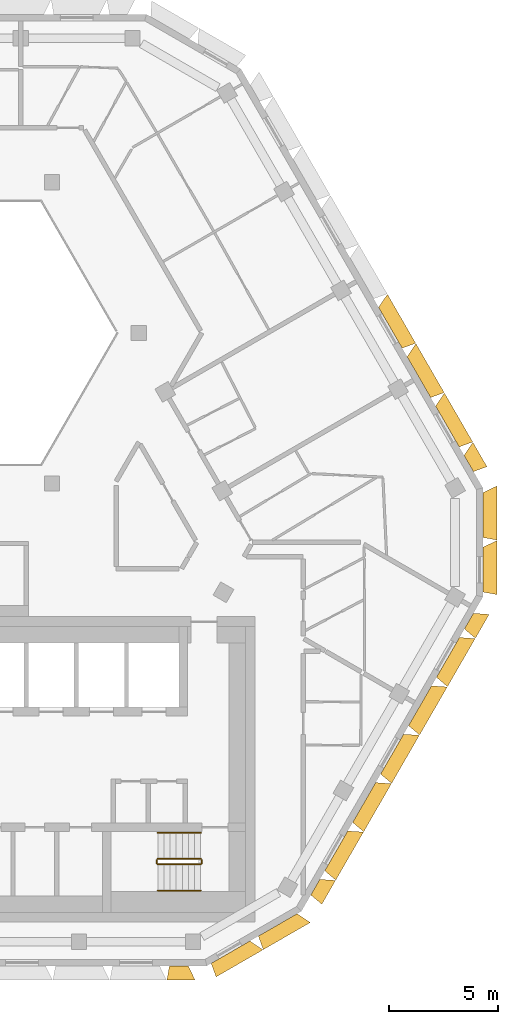
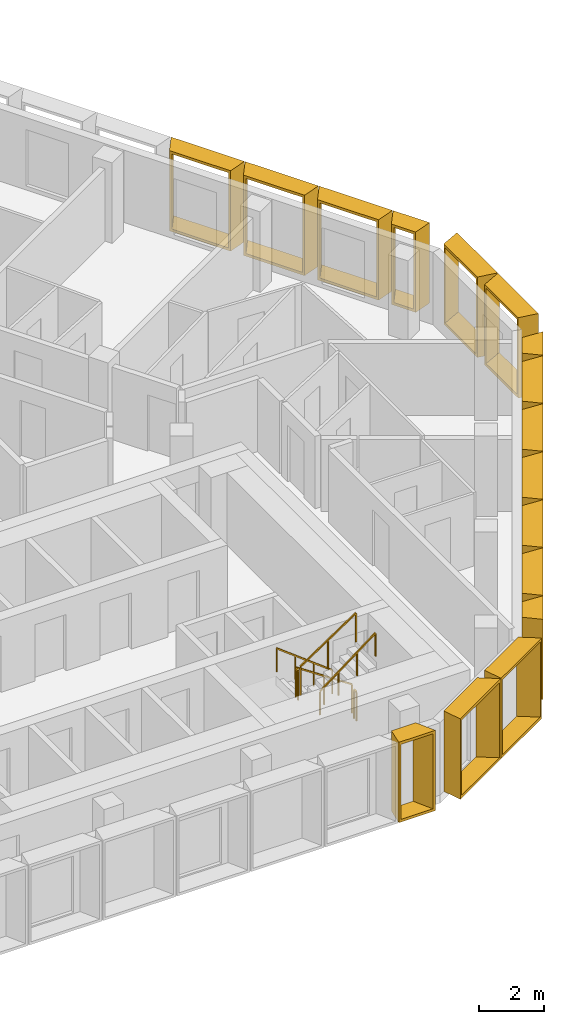
# One storey, part 14 of 15: 16 shading devices, 6 railings.
"""IFC4 building model written with IfcOpenShell, lengths in metres."""

import ifcopenshell
import ifcopenshell.guid

model = None  # the IFC model being written
_history = None  # IfcOwnerHistory: only IFC2X3 demands one
_inside = {}  # id of a spatial element -> (the spatial element, [elements in it])
_under = {}  # id of a project, library or spatial element -> (it, [spatial elements below it])
_declared = {}  # id of a project -> (the project, [libraries it declares])
_typed = {}  # id of a type object -> (the type object, [elements of that type])
_made_of = {}  # id of a material, layer set ... -> (it, [elements and type objects made of it])


def new_model(schema):
    """Start an empty IFC model of exactly this schema.

    Asked for "IFC4X3", IfcOpenShell would pick the latest addendum, in which some entities
    have other attributes; the version numbers below select the first issue.
    IFC2X3 requires an IfcOwnerHistory on every rooted entity: one is made here for all.
    """
    global model, _history
    if schema == "IFC4X3":
        model = ifcopenshell.file(schema_version=(4, 3, 0, 0))
    else:
        model = ifcopenshell.file(schema=schema)
    _inside.clear()
    _under.clear()
    _declared.clear()
    _typed.clear()
    _made_of.clear()
    _history = None
    if model.schema == "IFC2X3":
        org = make("IfcOrganization", Name="unknown")
        user = make(
            "IfcPersonAndOrganization",
            ThePerson=make("IfcPerson", FamilyName="unknown"),
            TheOrganization=org,
        )
        app = make(
            "IfcApplication",
            ApplicationDeveloper=org,
            Version="unknown",
            ApplicationFullName="unknown",
            ApplicationIdentifier="unknown",
        )
        _history = make(
            "IfcOwnerHistory",
            OwningUser=user,
            OwningApplication=app,
            ChangeAction="ADDED",
            CreationDate=0,
        )
    return model


def make(cls, **values):
    """One entity of the class cls with the attributes given. An attribute that is None is left unset."""
    return model.create_entity(
        cls, **{name: value for name, value in values.items() if value is not None}
    )


def entity(cls, *values):
    """Any entity or typed value of the class cls, its attributes in the order of the schema. None: left unset."""
    e = model.create_entity(cls)
    for i, value in enumerate(values):
        if value is not None:
            e[i] = value
    return e


def rooted(cls, **values):
    """An entity with a GlobalId (a new one), such as an element, a storey or a relation."""
    return make(cls, GlobalId=ifcopenshell.guid.new(), OwnerHistory=_history, **values)


def si_unit(unit_type, name, prefix=None):
    """IfcSIUnit, for example si_unit("LENGTHUNIT", "METRE", prefix="MILLI")."""
    return make("IfcSIUnit", UnitType=unit_type, Prefix=prefix, Name=name)


def assignment(units):
    """IfcUnitAssignment: the units of a project."""
    return None if units is None else make("IfcUnitAssignment", Units=units)


def point(xyz):
    """IfcCartesianPoint."""
    return None if xyz is None else make("IfcCartesianPoint", Coordinates=xyz)


def direction(xyz):
    """IfcDirection."""
    return None if xyz is None else make("IfcDirection", DirectionRatios=xyz)


def frame(location, z_axis=None, x_axis=None):
    """IfcAxis2Placement3D, a coordinate frame: its origin and axes. An axis left out is left unset."""
    return make(
        "IfcAxis2Placement3D",
        Location=point(location),
        Axis=direction(z_axis),
        RefDirection=direction(x_axis),
    )


def frame_2d(location, x_axis=None):
    """IfcAxis2Placement2D, a coordinate frame in the plane: its origin and x axis."""
    return make(
        "IfcAxis2Placement2D", Location=point(location), RefDirection=direction(x_axis)
    )


def origin():
    """The frame at (0, 0, 0) with its axes left unset."""
    return frame((0.0, 0.0, 0.0))


def origin_2d():
    """The frame at (0, 0) in the plane with its x axis left unset."""
    return frame_2d((0.0, 0.0))


def place(relative_to, where):
    """IfcLocalPlacement: puts the frame where relative to a parent placement (None: the world)."""
    return make(
        "IfcLocalPlacement", PlacementRelTo=relative_to, RelativePlacement=where
    )


def context(
    kind, dimensions, precision=None, world=None, true_north=None, identifier=None
):
    """IfcGeometricRepresentationContext, for example the 3D "Model" context."""
    return make(
        "IfcGeometricRepresentationContext",
        ContextIdentifier=identifier,
        ContextType=kind,
        CoordinateSpaceDimension=dimensions,
        Precision=precision,
        WorldCoordinateSystem=world,
        TrueNorth=true_north,
    )


def subcontext(parent, identifier, kind, view, scale=None):
    """IfcGeometricRepresentationSubContext, for example "Body" below "Model"."""
    return make(
        "IfcGeometricRepresentationSubContext",
        ContextIdentifier=identifier,
        ContextType=kind,
        ParentContext=parent,
        TargetScale=scale,
        TargetView=view,
    )


def project(units=None, contexts=None):
    """IfcProject with its units and contexts."""
    return rooted(
        "IfcProject",
        Name="project",
        RepresentationContexts=contexts,
        UnitsInContext=assignment(units),
    )


def spatial(cls, under=None, at=None, **own):
    """A site, building, storey or space (cls), placed at a placement, below another one or the project."""
    s = rooted(cls, ObjectPlacement=at, **own)
    if under is not None:
        _under.setdefault(under.id(), (under, []))[1].append(s)
    return s


def profile(cls, at=None, kind="AREA", **sizes):
    """A parametric profile (cls). Its sizes go by their IFC names, for example OverallWidth=200.0."""
    return make(cls, ProfileType=kind, Position=at, **sizes)


def rectangle(**sizes):
    """IfcRectangleProfileDef."""
    return profile("IfcRectangleProfileDef", **sizes)


def extrude(swept, where, along, depth):
    """IfcExtrudedAreaSolid: the profile swept, set in the frame where, extruded along a direction by depth."""
    return make(
        "IfcExtrudedAreaSolid",
        SweptArea=swept,
        Position=where,
        ExtrudedDirection=direction(along),
        Depth=depth,
    )


def shape(context_of_items, identifier, shape_type, items):
    """IfcShapeRepresentation: the items that make up one representation, for example the "Body"."""
    return make(
        "IfcShapeRepresentation",
        ContextOfItems=context_of_items,
        RepresentationIdentifier=identifier,
        RepresentationType=shape_type,
        Items=items,
    )


def source(mapping_origin, context_of_items, identifier, shape_type, items):
    """IfcRepresentationMap: a shape defined once, which mapped items show again and again."""
    return make(
        "IfcRepresentationMap",
        MappingOrigin=mapping_origin,
        MappedRepresentation=shape(context_of_items, identifier, shape_type, items),
    )


def transform(
    local_origin,
    x_axis=None,
    y_axis=None,
    z_axis=None,
    scale=None,
    scale2=None,
    scale3=None,
    uniform=True,
):
    """IfcCartesianTransformationOperator3D, or its non-uniform kind. x_axis, y_axis, z_axis: its Axis1, 2, 3."""
    if uniform:
        return make(
            "IfcCartesianTransformationOperator3D",
            Axis1=direction(x_axis),
            Axis2=direction(y_axis),
            LocalOrigin=point(local_origin),
            Scale=scale,
            Axis3=direction(z_axis),
        )
    return make(
        "IfcCartesianTransformationOperator3DnonUniform",
        Axis1=direction(x_axis),
        Axis2=direction(y_axis),
        LocalOrigin=point(local_origin),
        Scale=scale,
        Axis3=direction(z_axis),
        Scale2=scale2,
        Scale3=scale3,
    )


def mapped(mapping_source, mapping_target):
    """IfcMappedItem: shows the shape of a source again, moved by a transform."""
    return make(
        "IfcMappedItem", MappingSource=mapping_source, MappingTarget=mapping_target
    )


def material(Name=None, Category=None):
    """IfcMaterial."""
    return make("IfcMaterial", Name=Name, Category=Category)


def made_of(thing, what):
    """Note that an element or type object is made of a material, layer set ...; save() writes the relation."""
    if what is not None:
        _made_of.setdefault(what.id(), (what, []))[1].append(thing)
    return thing


def type_object(cls, material=None, **own):
    """A type object (cls), such as IfcWallType, which elements share."""
    return made_of(rooted(cls, **own), material)


def type_shapes(of_type, sources):
    """Give a type object the sources (RepresentationMaps) that its elements show as mapped items."""
    of_type.RepresentationMaps = sources


def element(
    cls,
    number,
    at=None,
    inside=None,
    cuts=None,
    type_object=None,
    material=None,
    context=None,
    identifier="Body",
    shape_type=None,
    held_by="IfcProductDefinitionShape",
    body=None,
    shapes=None,
    **own,
):
    """One element of the class cls, such as IfcWall. Its Tag is "e" and its number.

    at: its placement. inside: the storey or other place that contains it. cuts: it is an
    opening in that element (IfcRelVoidsElement). A single representation is given by context,
    identifier, shape_type and body (its items); several are given by shapes. held_by: the class
    of the entity that holds the representations. save() writes the other relations.
    """
    e = rooted(cls, Tag="e%d" % number, ObjectPlacement=at, **own)
    if body is not None:
        shapes = [shape(context, identifier, shape_type, body)]
    if shapes is not None:
        e.Representation = make(held_by, Representations=shapes)
    if inside is not None:
        _inside.setdefault(inside.id(), (inside, []))[1].append(e)
    if cuts is not None:
        rooted(
            "IfcRelVoidsElement", RelatingBuildingElement=cuts, RelatedOpeningElement=e
        )
    if type_object is not None:
        _typed.setdefault(type_object.id(), (type_object, []))[1].append(e)
    return made_of(e, material)


def aggregate(whole, parts):
    """IfcRelAggregates: a whole, such as a stair, and the parts it consists of."""
    return rooted("IfcRelAggregates", RelatingObject=whole, RelatedObjects=parts)


def save(model, path):
    """Write the relations noted so far, then the file.

    IfcRelAggregates (storeys below a building ...), IfcRelContainedInSpatialStructure (elements
    in a storey), IfcRelDefinesByType, IfcRelAssociatesMaterial and IfcRelDeclares: one each for
    every whole, place, type object, material and project.
    """
    for whole, parts in _under.values():
        aggregate(whole, parts)
    for where, things in _inside.values():
        rooted(
            "IfcRelContainedInSpatialStructure",
            RelatedElements=things,
            RelatingStructure=where,
        )
    for kind, things in _typed.values():
        rooted("IfcRelDefinesByType", RelatedObjects=things, RelatingType=kind)
    for what, things in _made_of.values():
        rooted("IfcRelAssociatesMaterial", RelatedObjects=things, RelatingMaterial=what)
    for by, libraries in _declared.values():
        rooted("IfcRelDeclares", RelatingContext=by, RelatedDefinitions=libraries)
    model.write(path)


model = new_model("IFC4")

# Units and contexts
model_context = context("Model", 3, precision=1e-05, world=origin(), true_north=direction((0.0, 1.0)))
body_context = subcontext(model_context, "Body", "Model", "MODEL_VIEW")
ifc_project = project(units=[si_unit("LENGTHUNIT", "METRE"), si_unit("AREAUNIT", "SQUARE_METRE"), si_unit("VOLUMEUNIT", "CUBIC_METRE"), si_unit("PLANEANGLEUNIT", "RADIAN"), si_unit("MASSUNIT", "GRAM", prefix="KILO")], contexts=[model_context])

# Site, building, storey
site_placement = place(None, origin())
site = spatial("IfcSite", under=ifc_project, at=site_placement, CompositionType="ELEMENT")
building_placement = place(site_placement, origin())
building = spatial("IfcBuilding", under=site, at=building_placement, Name="Beryl Residences", CompositionType="ELEMENT")
storey_placement = place(building_placement, frame((0.0, 0.0, 205.800048828125)))
storey = spatial("IfcBuildingStorey", under=building, at=storey_placement, Name="L63", CompositionType="ELEMENT", Elevation=205.800048828125)

# Shading devices
ifc_material_1 = material(Name="Aluminium pale anodised", Category="aluminium")
shading_device_type_1 = type_object("IfcShadingDeviceType", Name="FR128-65C OUTER SKIN frame 650 mm deep, splay 10/26 deg, 1280 x 3000 mm cell", PredefinedType="USERDEFINED", material=ifc_material_1)
cartesian_point_1 = entity("IfcCartesianPoint", [-0.4140625, 0.0])
cartesian_point_2 = entity("IfcCartesianPoint", [-0.332763671875, 0.10009765625])
cartesian_point_3 = entity("IfcCartesianPoint", [-0.528564453125, 0.0])
cartesian_point_4 = entity("IfcCartesianPoint", [-0.447265625, 0.10009765625])
shared_shape_1 = source(origin(), body_context, "Body", "SweptSolid", [
    entity("IfcExtrudedAreaSolidTapered", entity("IfcArbitraryProfileDefWithVoids", "AREA", None, entity("IfcPolyline", [cartesian_point_1, entity("IfcCartesianPoint", [0.4140625, 0.0]), entity("IfcCartesianPoint", [0.4140625, 3.0]), entity("IfcCartesianPoint", [-0.4140625, 3.0]), cartesian_point_1]), [entity("IfcPolyline", [cartesian_point_2, entity("IfcCartesianPoint", [0.324951171875, 0.10009765625]), entity("IfcCartesianPoint", [0.324951171875, 2.89990234375]), entity("IfcCartesianPoint", [-0.332763671875, 2.89990234375]), cartesian_point_2])]), entity("IfcAxis2Placement3D", entity("IfcCartesianPoint", [0.0, 0.0, 0.0]), entity("IfcDirection", [0.0, 1.0, 0.0]), entity("IfcDirection", [-1.0, 0.0, 0.0])), entity("IfcDirection", [0.0, 0.0, 1.0]), 0.64990234375, entity("IfcArbitraryProfileDefWithVoids", "AREA", None, entity("IfcPolyline", [cartesian_point_3, entity("IfcCartesianPoint", [0.73095703125, 0.0]), entity("IfcCartesianPoint", [0.73095703125, 3.0]), entity("IfcCartesianPoint", [-0.528564453125, 3.0]), cartesian_point_3]), [entity("IfcPolyline", [cartesian_point_4, entity("IfcCartesianPoint", [0.64208984375, 0.10009765625]), entity("IfcCartesianPoint", [0.64208984375, 2.89990234375]), entity("IfcCartesianPoint", [-0.447265625, 2.89990234375]), cartesian_point_4])])),
])
type_shapes(shading_device_type_1, [shared_shape_1])
for number, where, z_axis, x_axis, name in (
    (1, (16.052978515625, -17.39599609375, 0.0), (0.0, 0.0, 1.0), (-0.5, -0.866025403784, 0.0), "FR128-65C frame L63 SE 1"),
    (2, (23.091064453125, -5.205078125, 0.0), (0.0, 0.0, 1.0), (-0.5, -0.866025403784, 0.0), "FR128-65C frame L63 SE 7"),
):
    element("IfcShadingDevice", number, at=place(storey_placement, frame(where, z_axis=z_axis, x_axis=x_axis)), inside=storey, type_object=shading_device_type_1, Name=name, ObjectType="OUTER SKIN", PredefinedType="USERDEFINED", context=body_context, shape_type="MappedRepresentation", body=[
        mapped(shared_shape_1, transform((0.0, 0.0, 0.0))),
    ])
ifc_material_2 = material(Name="Aluminium pale anodised", Category="aluminium")
shading_device_type_2 = type_object("IfcShadingDeviceType", Name="FR131-65C OUTER SKIN frame 650 mm deep, splay 10/26 deg, 1310 x 3000 mm cell", PredefinedType="USERDEFINED", material=ifc_material_2)
cartesian_point_5 = entity("IfcCartesianPoint", [-0.428955078125, 0.0])
cartesian_point_6 = entity("IfcCartesianPoint", [-0.34765625, 0.10009765625])
cartesian_point_7 = entity("IfcCartesianPoint", [-0.543701171875, 0.0])
cartesian_point_8 = entity("IfcCartesianPoint", [-0.46240234375, 0.10009765625])
shared_shape_2 = source(origin(), body_context, "Body", "SweptSolid", [
    entity("IfcExtrudedAreaSolidTapered", entity("IfcArbitraryProfileDefWithVoids", "AREA", None, entity("IfcPolyline", [cartesian_point_5, entity("IfcCartesianPoint", [0.428955078125, 0.0]), entity("IfcCartesianPoint", [0.428955078125, 3.0]), entity("IfcCartesianPoint", [-0.428955078125, 3.0]), cartesian_point_5]), [entity("IfcPolyline", [cartesian_point_6, entity("IfcCartesianPoint", [0.340087890625, 0.10009765625]), entity("IfcCartesianPoint", [0.340087890625, 2.89990234375]), entity("IfcCartesianPoint", [-0.34765625, 2.89990234375]), cartesian_point_6])]), entity("IfcAxis2Placement3D", entity("IfcCartesianPoint", [0.0, 0.0, 0.0]), entity("IfcDirection", [0.0, 1.0, 0.0]), entity("IfcDirection", [-1.0, 0.0, 0.0])), entity("IfcDirection", [0.0, 0.0, 1.0]), 0.64990234375, entity("IfcArbitraryProfileDefWithVoids", "AREA", None, entity("IfcPolyline", [cartesian_point_7, entity("IfcCartesianPoint", [0.74609375, 0.0]), entity("IfcCartesianPoint", [0.74609375, 3.0]), entity("IfcCartesianPoint", [-0.543701171875, 3.0]), cartesian_point_7]), [entity("IfcPolyline", [cartesian_point_8, entity("IfcCartesianPoint", [0.656982421875, 0.10009765625]), entity("IfcCartesianPoint", [0.656982421875, 2.89990234375]), entity("IfcCartesianPoint", [-0.46240234375, 2.89990234375]), cartesian_point_8])])),
])
type_shapes(shading_device_type_2, [shared_shape_2])
for number, where, z_axis, x_axis, name in (
    (3, (9.797119140625, -21.0, 0.0), (0.0, 0.0, 1.0), (-1.0, 0.0, 0.0), "FR131-65C frame L63 S 9"),
    (4, (23.083984375, 2.01611328125, 0.0), (0.0, 0.0, 1.0), (0.5, -0.866025403784, 0.0), "FR131-65C frame L63 NE 1"),
):
    element("IfcShadingDevice", number, at=place(storey_placement, frame(where, z_axis=z_axis, x_axis=x_axis)), inside=storey, type_object=shading_device_type_2, Name=name, ObjectType="OUTER SKIN", PredefinedType="USERDEFINED", context=body_context, shape_type="MappedRepresentation", body=[
        mapped(shared_shape_2, transform((0.0, 0.0, 0.0))),
    ])
ifc_material_3 = material(Name="Aluminium pale anodised", Category="aluminium")
shading_device_type_3 = type_object("IfcShadingDeviceType", Name="FR250-65C OUTER SKIN frame 650 mm deep, splay 10/26 deg, 2500 x 3000 mm cell", PredefinedType="USERDEFINED", material=ifc_material_3)
cartesian_point_9 = entity("IfcCartesianPoint", [-1.02392578125, 0.0])
cartesian_point_10 = entity("IfcCartesianPoint", [-0.94287109375, 0.10009765625])
cartesian_point_11 = entity("IfcCartesianPoint", [-1.138671875, 0.0])
cartesian_point_12 = entity("IfcCartesianPoint", [-1.057373046875, 0.10009765625])
shared_shape_3 = source(origin(), body_context, "Body", "SweptSolid", [
    entity("IfcExtrudedAreaSolidTapered", entity("IfcArbitraryProfileDefWithVoids", "AREA", None, entity("IfcPolyline", [cartesian_point_9, entity("IfcCartesianPoint", [1.02392578125, 0.0]), entity("IfcCartesianPoint", [1.02392578125, 3.0]), entity("IfcCartesianPoint", [-1.02392578125, 3.0]), cartesian_point_9]), [entity("IfcPolyline", [cartesian_point_10, entity("IfcCartesianPoint", [0.93505859375, 0.10009765625]), entity("IfcCartesianPoint", [0.93505859375, 2.89990234375]), entity("IfcCartesianPoint", [-0.94287109375, 2.89990234375]), cartesian_point_10])]), entity("IfcAxis2Placement3D", entity("IfcCartesianPoint", [0.0, 0.0, 0.0]), entity("IfcDirection", [0.0, 1.0, 0.0]), entity("IfcDirection", [-1.0, 0.0, 0.0])), entity("IfcDirection", [0.0, 0.0, 1.0]), 0.64990234375, entity("IfcArbitraryProfileDefWithVoids", "AREA", None, entity("IfcPolyline", [cartesian_point_11, entity("IfcCartesianPoint", [1.341064453125, 0.0]), entity("IfcCartesianPoint", [1.341064453125, 3.0]), entity("IfcCartesianPoint", [-1.138671875, 3.0]), cartesian_point_11]), [entity("IfcPolyline", [cartesian_point_12, entity("IfcCartesianPoint", [1.251953125, 0.10009765625]), entity("IfcCartesianPoint", [1.251953125, 2.89990234375]), entity("IfcCartesianPoint", [-1.057373046875, 2.89990234375]), cartesian_point_12])])),
])
type_shapes(shading_device_type_3, [shared_shape_3])
for number, where, z_axis, x_axis, name in (
    (5, (12.16796875, -20.375, 0.0), (0.0, 0.0, 1.0), (-0.866025403784, -0.5, 0.0), "FR250-65C frame L63 S-SE 1"),
    (6, (14.33203125, -19.125, 0.0), (0.0, 0.0, 1.0), (-0.866025403784, -0.5, 0.0), "FR250-65C frame L63 S-SE 2"),
    (7, (23.72900390625, -2.85009765625, 0.0), (0.0, 0.0, 1.0), (0.0, -1.0, 0.0), "FR250-65C frame L63 SE-NE 1"),
    (8, (23.72900390625, -0.35009765625, 0.0), (0.0, 0.0, 1.0), (0.0, -1.0, 0.0), "FR250-65C frame L63 SE-NE 2"),
):
    element("IfcShadingDevice", number, at=place(storey_placement, frame(where, z_axis=z_axis, x_axis=x_axis)), inside=storey, type_object=shading_device_type_3, Name=name, ObjectType="OUTER SKIN", PredefinedType="USERDEFINED", context=body_context, shape_type="MappedRepresentation", body=[
        mapped(shared_shape_3, transform((0.0, 0.0, 0.0))),
    ])
ifc_material_4 = material(Name="Aluminium pale anodised", Category="aluminium")
shading_device_type_4 = type_object("IfcShadingDeviceType", Name="FR256-65C OUTER SKIN frame 650 mm deep, splay 10/26 deg, 2560 x 3000 mm cell", PredefinedType="USERDEFINED", material=ifc_material_4)
cartesian_point_13 = entity("IfcCartesianPoint", [-1.053955078125, 0.0])
cartesian_point_14 = entity("IfcCartesianPoint", [-0.97265625, 0.10009765625])
cartesian_point_15 = entity("IfcCartesianPoint", [-1.168701171875, 0.0])
cartesian_point_16 = entity("IfcCartesianPoint", [-1.08740234375, 0.10009765625])
shared_shape_4 = source(origin(), body_context, "Body", "SweptSolid", [
    entity("IfcExtrudedAreaSolidTapered", entity("IfcArbitraryProfileDefWithVoids", "AREA", None, entity("IfcPolyline", [cartesian_point_13, entity("IfcCartesianPoint", [1.053955078125, 0.0]), entity("IfcCartesianPoint", [1.053955078125, 3.0]), entity("IfcCartesianPoint", [-1.053955078125, 3.0]), cartesian_point_13]), [entity("IfcPolyline", [cartesian_point_14, entity("IfcCartesianPoint", [0.965087890625, 0.10009765625]), entity("IfcCartesianPoint", [0.965087890625, 2.89990234375]), entity("IfcCartesianPoint", [-0.97265625, 2.89990234375]), cartesian_point_14])]), entity("IfcAxis2Placement3D", entity("IfcCartesianPoint", [0.0, 0.0, 0.0]), entity("IfcDirection", [0.0, 1.0, 0.0]), entity("IfcDirection", [-1.0, 0.0, 0.0])), entity("IfcDirection", [0.0, 0.0, 1.0]), 0.64990234375, entity("IfcArbitraryProfileDefWithVoids", "AREA", None, entity("IfcPolyline", [cartesian_point_15, entity("IfcCartesianPoint", [1.37109375, 0.0]), entity("IfcCartesianPoint", [1.37109375, 3.0]), entity("IfcCartesianPoint", [-1.168701171875, 3.0]), cartesian_point_15]), [entity("IfcPolyline", [cartesian_point_16, entity("IfcCartesianPoint", [1.281982421875, 0.10009765625]), entity("IfcCartesianPoint", [1.281982421875, 2.89990234375]), entity("IfcCartesianPoint", [-1.08740234375, 2.89990234375]), cartesian_point_16])])),
])
type_shapes(shading_device_type_4, [shared_shape_4])
for number, where, z_axis, x_axis, name in (
    (9, (17.011962890625, -15.73388671875, 0.0), (0.0, 0.0, 1.0), (-0.5, -0.866025403784, 0.0), "FR256-65C frame L63 SE 2"),
    (10, (18.2919921875, -13.51708984375, 0.0), (0.0, 0.0, 1.0), (-0.5, -0.866025403784, 0.0), "FR256-65C frame L63 SE 3"),
    (11, (19.572021484375, -11.300048828125, 0.0), (0.0, 0.0, 1.0), (-0.5, -0.866025403784, 0.0), "FR256-65C frame L63 SE 4"),
    (12, (20.85107421875, -9.083984375, 0.0), (0.0, 0.0, 1.0), (-0.5, -0.866025403784, 0.0), "FR256-65C frame L63 SE 5"),
    (13, (22.131103515625, -6.866943359375, 0.0), (0.0, 0.0, 1.0), (-0.5, -0.866025403784, 0.0), "FR256-65C frame L63 SE 6"),
):
    element("IfcShadingDevice", number, at=place(storey_placement, frame(where, z_axis=z_axis, x_axis=x_axis)), inside=storey, type_object=shading_device_type_4, Name=name, ObjectType="OUTER SKIN", PredefinedType="USERDEFINED", context=body_context, shape_type="MappedRepresentation", body=[
        mapped(shared_shape_4, transform((0.0, 0.0, 0.0))),
    ])
ifc_material_5 = material(Name="Aluminium pale anodised", Category="aluminium")
shading_device_type_5 = type_object("IfcShadingDeviceType", Name="FR261-65C OUTER SKIN frame 650 mm deep, splay 10/26 deg, 2610 x 3000 mm cell", PredefinedType="USERDEFINED", material=ifc_material_5)
cartesian_point_17 = entity("IfcCartesianPoint", [-1.0791015625, 0.0])
cartesian_point_18 = entity("IfcCartesianPoint", [-0.997802734375, 0.10009765625])
cartesian_point_19 = entity("IfcCartesianPoint", [-1.193603515625, 0.0])
cartesian_point_20 = entity("IfcCartesianPoint", [-1.1123046875, 0.10009765625])
shared_shape_5 = source(origin(), body_context, "Body", "SweptSolid", [
    entity("IfcExtrudedAreaSolidTapered", entity("IfcArbitraryProfileDefWithVoids", "AREA", None, entity("IfcPolyline", [cartesian_point_17, entity("IfcCartesianPoint", [1.0791015625, 0.0]), entity("IfcCartesianPoint", [1.0791015625, 3.0]), entity("IfcCartesianPoint", [-1.0791015625, 3.0]), cartesian_point_17]), [entity("IfcPolyline", [cartesian_point_18, entity("IfcCartesianPoint", [0.989990234375, 0.10009765625]), entity("IfcCartesianPoint", [0.989990234375, 2.89990234375]), entity("IfcCartesianPoint", [-0.997802734375, 2.89990234375]), cartesian_point_18])]), entity("IfcAxis2Placement3D", entity("IfcCartesianPoint", [0.0, 0.0, 0.0]), entity("IfcDirection", [0.0, 1.0, 0.0]), entity("IfcDirection", [-1.0, 0.0, 0.0])), entity("IfcDirection", [0.0, 0.0, 1.0]), 0.64990234375, entity("IfcArbitraryProfileDefWithVoids", "AREA", None, entity("IfcPolyline", [cartesian_point_19, entity("IfcCartesianPoint", [1.39599609375, 0.0]), entity("IfcCartesianPoint", [1.39599609375, 3.0]), entity("IfcCartesianPoint", [-1.193603515625, 3.0]), cartesian_point_19]), [entity("IfcPolyline", [cartesian_point_20, entity("IfcCartesianPoint", [1.30712890625, 0.10009765625]), entity("IfcCartesianPoint", [1.30712890625, 2.89990234375]), entity("IfcCartesianPoint", [-1.1123046875, 2.89990234375]), cartesian_point_20])])),
])
type_shapes(shading_device_type_5, [shared_shape_5])
for number, where, z_axis, x_axis, name in (
    (14, (22.10498046875, 3.7119140625, 0.0), (0.0, 0.0, 1.0), (0.5, -0.866025403784, 0.0), "FR261-65C frame L63 NE 2"),
    (15, (20.798095703125, 5.97509765625, 0.0), (0.0, 0.0, 1.0), (0.5, -0.866025403784, 0.0), "FR261-65C frame L63 NE 3"),
    (16, (19.491943359375, 8.237060546875, 0.0), (0.0, 0.0, 1.0), (0.5, -0.866025403784, 0.0), "FR261-65C frame L63 NE 4"),
):
    element("IfcShadingDevice", number, at=place(storey_placement, frame(where, z_axis=z_axis, x_axis=x_axis)), inside=storey, type_object=shading_device_type_5, Name=name, ObjectType="OUTER SKIN", PredefinedType="USERDEFINED", context=body_context, shape_type="MappedRepresentation", body=[
        mapped(shared_shape_5, transform((0.0, 0.0, 0.0))),
    ])

# Railings
ifc_material_6 = material(Name="Stainless steel balustrade with glass infill", Category="steel")
railing_type_1 = type_object("IfcRailingType", Name="SG1 stair guard 1100 mm", PredefinedType="GUARDRAIL", material=ifc_material_6)
railing_1_placement = place(storey_placement, frame((10.800048828125, -16.10009765625, 0.1875)))
element("IfcRailing", 17, at=railing_1_placement, inside=storey, type_object=railing_type_1, Name="L63 ST-3 stair guard 1", PredefinedType="GUARDRAIL", context=body_context, shape_type="SweptSolid", body=[
    extrude(rectangle(XDim=0.048095703125, YDim=0.048095703125, at=origin_2d()), frame((0.0, 0.0, 1.076171875), z_axis=(-0.830902050051, 0.0, 0.556418712142), x_axis=(0.0, -1.0, 0.0)), (0.0, 0.0, 1.0), 2.35888671875),
    extrude(rectangle(XDim=0.0419921875, YDim=0.0419921875, at=origin_2d()), origin(), (0.0, 0.0, 1.0), 1.052001953125),
    extrude(rectangle(XDim=0.0419921875, YDim=0.0419921875, at=origin_2d()), frame((-0.97998046875, 0.0, 0.65625)), (0.0, 0.0, 1.0), 1.052001953125),
    extrude(rectangle(XDim=0.0419921875, YDim=0.0419921875, at=origin_2d()), frame((-1.9599609375, 0.0, 1.3125)), (0.0, 0.0, 1.0), 1.052001953125),
])
railing_2_placement = place(storey_placement, frame((8.7900390625, -16.14990234375, 1.5)))
element("IfcRailing", 18, at=railing_2_placement, inside=storey, type_object=railing_type_1, Name="L63 ST-3 stair guard 2", PredefinedType="GUARDRAIL", context=body_context, shape_type="SweptSolid", body=[
    extrude(rectangle(XDim=0.048095703125, YDim=0.048095703125, at=origin_2d()), frame((0.0, 0.0, 1.076171875), z_axis=(0.0, -1.0, 0.0), x_axis=(1.0, 0.0, 0.0)), (0.0, 0.0, 1.0), 0.150146484375),
    extrude(rectangle(XDim=0.0419921875, YDim=0.0419921875, at=origin_2d()), origin(), (0.0, 0.0, 1.0), 1.052001953125),
    extrude(rectangle(XDim=0.0419921875, YDim=0.0419921875, at=origin_2d()), frame((0.0, -0.150146484375, 0.0)), (0.0, 0.0, 1.0), 1.052001953125),
])
railing_3_placement = place(storey_placement, frame((8.840087890625, -16.35009765625, 1.6875)))
element("IfcRailing", 19, at=railing_3_placement, inside=storey, type_object=railing_type_1, Name="L63 ST-3 stair guard 3", PredefinedType="GUARDRAIL", context=body_context, shape_type="SweptSolid", body=[
    extrude(rectangle(XDim=0.048095703125, YDim=0.048095703125, at=origin_2d()), frame((0.0, 0.0, 1.076171875), z_axis=(0.830902050051, 0.0, 0.556418712142), x_axis=(0.0, 1.0, 0.0)), (0.0, 0.0, 1.0), 2.35888671875),
    extrude(rectangle(XDim=0.0419921875, YDim=0.0419921875, at=origin_2d()), origin(), (0.0, 0.0, 1.0), 1.052001953125),
    extrude(rectangle(XDim=0.0419921875, YDim=0.0419921875, at=origin_2d()), frame((0.97998046875, 0.0, 0.65625)), (0.0, 0.0, 1.0), 1.052001953125),
    extrude(rectangle(XDim=0.0419921875, YDim=0.0419921875, at=origin_2d()), frame((1.9599609375, 0.0, 1.3125)), (0.0, 0.0, 1.0), 1.052001953125),
])
railing_4_placement = place(storey_placement, frame((10.85009765625, -16.14990234375, 0.0)))
element("IfcRailing", 20, at=railing_4_placement, inside=storey, type_object=railing_type_1, Name="L63 ST-3 stair guard 4", PredefinedType="GUARDRAIL", context=body_context, shape_type="SweptSolid", body=[
    extrude(rectangle(XDim=0.048095703125, YDim=0.048095703125, at=origin_2d()), frame((0.0, 0.0, 1.076171875), z_axis=(0.0, -1.0, 0.0), x_axis=(1.0, 0.0, 0.0)), (0.0, 0.0, 1.0), 0.150146484375),
    extrude(rectangle(XDim=0.0419921875, YDim=0.0419921875, at=origin_2d()), origin(), (0.0, 0.0, 1.0), 1.052001953125),
    extrude(rectangle(XDim=0.0419921875, YDim=0.0419921875, at=origin_2d()), frame((0.0, -0.150146484375, 0.0)), (0.0, 0.0, 1.0), 1.052001953125),
])
ifc_material_7 = material(Name="Stainless steel handrail", Category="steel")
railing_type_2 = type_object("IfcRailingType", Name="SRL1 stair handrail 900 mm", PredefinedType="HANDRAIL", material=ifc_material_7)
railing_5_placement = place(storey_placement, frame((10.800048828125, -14.89990234375, 0.1875)))
element("IfcRailing", 21, at=railing_5_placement, inside=storey, type_object=railing_type_2, Name="L63 ST-3 stair handrail 1", PredefinedType="HANDRAIL", context=body_context, shape_type="SweptSolid", body=[
    extrude(rectangle(XDim=0.048095703125, YDim=0.048095703125, at=origin_2d()), frame((0.0, 0.0, 0.8759765625), z_axis=(-0.794121922505, 0.0, 0.607758481798), x_axis=(0.0, -1.0, 0.0)), (0.0, 0.0, 1.0), 2.468017578125),
    extrude(rectangle(XDim=0.0419921875, YDim=0.0419921875, at=origin_2d()), origin(), (0.0, 0.0, 1.0), 0.851806640625),
    extrude(rectangle(XDim=0.0419921875, YDim=0.0419921875, at=origin_2d()), frame((-0.6533203125, 0.0, 0.5)), (0.0, 0.0, 1.0), 0.851806640625),
    extrude(rectangle(XDim=0.0419921875, YDim=0.0419921875, at=origin_2d()), frame((-1.306640625, 0.0, 1.0)), (0.0, 0.0, 1.0), 0.851806640625),
    extrude(rectangle(XDim=0.0419921875, YDim=0.0419921875, at=origin_2d()), frame((-1.9599609375, 0.0, 1.5)), (0.0, 0.0, 1.0), 0.851806640625),
])
railing_6_placement = place(storey_placement, frame((8.840087890625, -17.550048828125, 1.6875)))
element("IfcRailing", 22, at=railing_6_placement, inside=storey, type_object=railing_type_2, Name="L63 ST-3 stair handrail 2", PredefinedType="HANDRAIL", context=body_context, shape_type="SweptSolid", body=[
    extrude(rectangle(XDim=0.048095703125, YDim=0.048095703125, at=origin_2d()), frame((0.0, 0.0, 0.8759765625), z_axis=(0.794121922505, 0.0, 0.607758481798), x_axis=(0.0, 1.0, 0.0)), (0.0, 0.0, 1.0), 2.468017578125),
    extrude(rectangle(XDim=0.0419921875, YDim=0.0419921875, at=origin_2d()), origin(), (0.0, 0.0, 1.0), 0.851806640625),
    extrude(rectangle(XDim=0.0419921875, YDim=0.0419921875, at=origin_2d()), frame((0.6533203125, 0.0, 0.5)), (0.0, 0.0, 1.0), 0.851806640625),
    extrude(rectangle(XDim=0.0419921875, YDim=0.0419921875, at=origin_2d()), frame((1.306640625, 0.0, 1.0)), (0.0, 0.0, 1.0), 0.851806640625),
    extrude(rectangle(XDim=0.0419921875, YDim=0.0419921875, at=origin_2d()), frame((1.9599609375, 0.0, 1.5)), (0.0, 0.0, 1.0), 0.851806640625),
])

save(model, "model.ifc")
